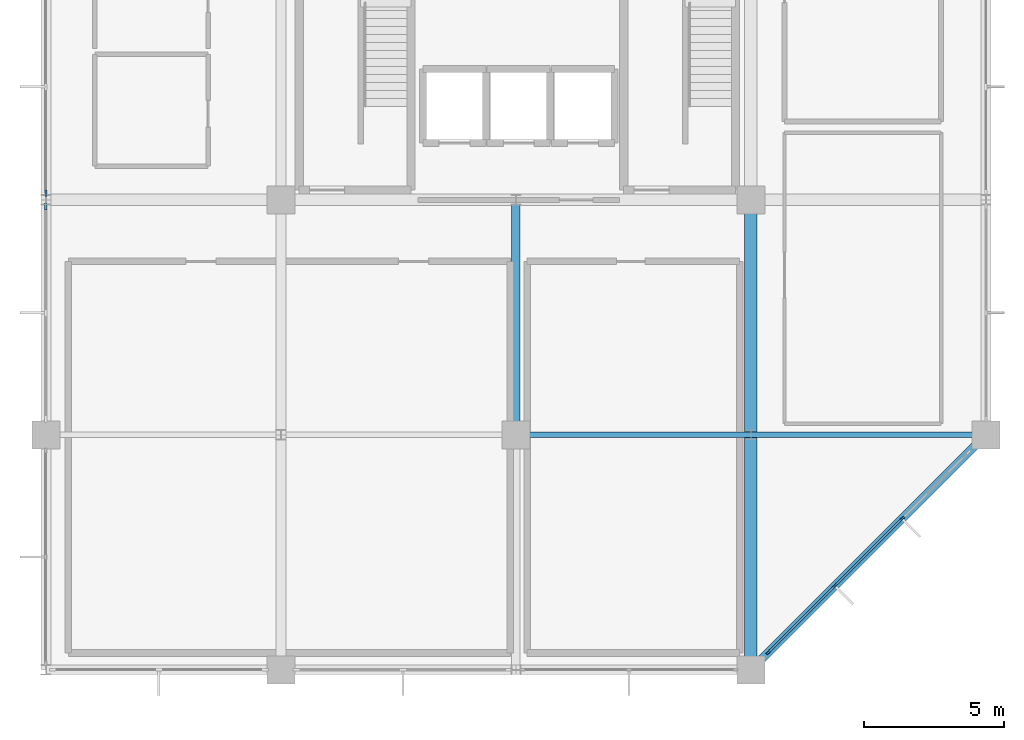
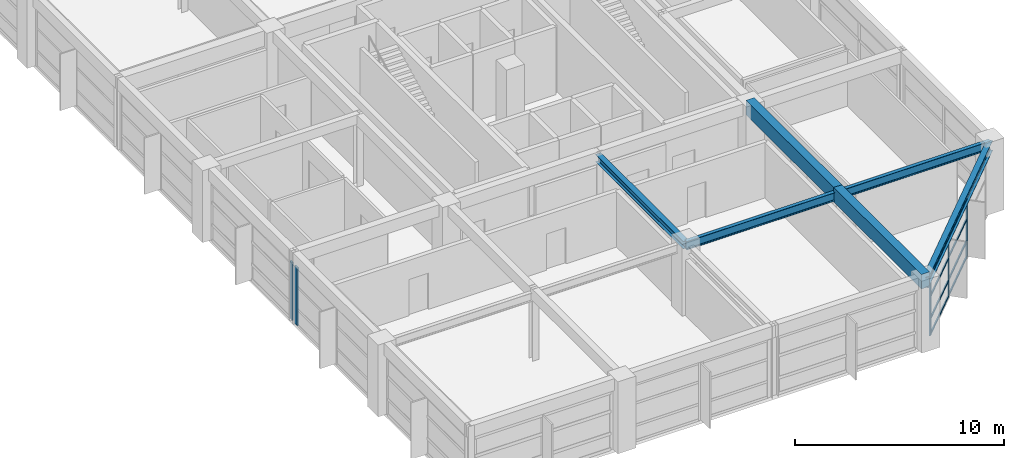
# One storey, part 4 of 16: 13 members, 6 beams, 3 elements without a shape of their own.
"""IFC4 building model written with IfcOpenShell, lengths in metres."""

from ifc_helpers import new_model, si_unit, direction, frame, origin, origin_2d, place, context, subcontext, project, spatial, rectangle, i_section, extrude, material, material_profile, profile_set, type_object, element, aggregate, save


model = new_model("IFC4")

# Units and contexts
model_context = context("Model", 3, precision=1e-05, world=origin(), true_north=direction((0.0, 1.0)))
body_context = subcontext(model_context, "Body", "Model", "MODEL_VIEW")
ifc_project = project(units=[si_unit("LENGTHUNIT", "METRE"), si_unit("AREAUNIT", "SQUARE_METRE"), si_unit("VOLUMEUNIT", "CUBIC_METRE"), si_unit("PLANEANGLEUNIT", "RADIAN"), si_unit("MASSUNIT", "GRAM", prefix="KILO")], contexts=[model_context])

# Site, building, storey
site_placement = place(None, origin())
site = spatial("IfcSite", under=ifc_project, at=site_placement, CompositionType="ELEMENT")
building_placement = place(site_placement, origin())
building = spatial("IfcBuilding", under=site, at=building_placement, Name="Xuanlan Plaza Opera House", CompositionType="ELEMENT")
storey_placement = place(building_placement, frame((0.0, 0.0, 48.89990234375)))
storey = spatial("IfcBuildingStorey", under=building, at=storey_placement, Name="L11", CompositionType="ELEMENT", Elevation=48.89990234375)

# Curtain wall, members
ifc_material_1 = material(Name="Anodised Aluminium 6063-T6 and Low-E Glass", Category="aluminium")
curtain_wall_type_1 = type_object("IfcCurtainWallType", Name="ENV-CW-CW-01", PredefinedType="USERDEFINED", material=ifc_material_1)
curtain_wall_1_placement = place(storey_placement, origin())
curtain_wall_1 = element("IfcCurtainWall", 1, at=curtain_wall_1_placement, inside=storey, type_object=curtain_wall_type_1, Name="Unitised Curtain Wall L11-004", ObjectType="UNITISED CURTAIN WALL", PredefinedType="USERDEFINED")
ifc_material_2 = material(Name="Anodised Aluminium 6063-T6", Category="aluminium")
ifc_material_profile_1 = material_profile(ifc_material_2, rectangle(XDim=0.070068359375, YDim=0.179931640625, at=origin_2d()), Name="ALU-M 70x180")
ifc_profile_set_1 = profile_set([ifc_material_profile_1], Name="Anodised Aluminium 6063-T6")
member_type_1 = type_object("IfcMemberType", Name="ENV-CWM-02", PredefinedType="MULLION", material=ifc_profile_set_1)
member_1_placement = place(storey_placement, frame((151.82373046875, 34.2236328125, 0.0), z_axis=(0.0, 0.0, 1.0), x_axis=(-0.707106781187, 0.707106781187, 0.0)))
member_1 = element("IfcMember", 2, at=member_1_placement, type_object=member_type_1, Name="CW-01 mullion 1", PredefinedType="MULLION", context=body_context, shape_type="SweptSolid", body=[
    extrude(rectangle(XDim=0.070068359375, YDim=0.179931640625, at=origin_2d()), origin(), (0.0, 0.0, 1.0), 3.380126953125),
])
member_2_placement = place(storey_placement, frame((154.19970703125, 36.599609375, 0.0), z_axis=(0.0, 0.0, 1.0), x_axis=(-0.707106781187, 0.707106781187, 0.0)))
member_2 = element("IfcMember", 3, at=member_2_placement, type_object=member_type_1, Name="CW-01 mullion 2", PredefinedType="MULLION", context=body_context, shape_type="SweptSolid", body=[
    extrude(rectangle(XDim=0.070068359375, YDim=0.179931640625, at=origin_2d()), origin(), (0.0, 0.0, 1.0), 3.380126953125),
])
member_3_placement = place(storey_placement, frame((156.600341796875, 39.000244140625, 0.0), z_axis=(0.0, 0.0, 1.0), x_axis=(-0.707106781187, 0.707106781187, 0.0)))
member_3 = element("IfcMember", 4, at=member_3_placement, type_object=member_type_1, Name="CW-01 mullion 3", PredefinedType="MULLION", context=body_context, shape_type="SweptSolid", body=[
    extrude(rectangle(XDim=0.070068359375, YDim=0.179931640625, at=origin_2d()), origin(), (0.0, 0.0, 1.0), 3.380126953125),
])

# Curtain wall, member
curtain_wall_2_placement = place(storey_placement, origin())
curtain_wall_2 = element("IfcCurtainWall", 5, at=curtain_wall_2_placement, inside=storey, type_object=curtain_wall_type_1, Name="Unitised Curtain Wall L11-016", ObjectType="UNITISED CURTAIN WALL", PredefinedType="USERDEFINED")
ifc_material_profile_2 = material_profile(ifc_material_2, rectangle(XDim=0.080078125, YDim=0.219970703125, at=origin_2d()), Name="ALU-M 80x220")
ifc_profile_set_2 = profile_set([ifc_material_profile_2], Name="Anodised Aluminium 6063-T6")
member_type_2 = type_object("IfcMemberType", Name="ENV-CWM-04", PredefinedType="MULLION", material=ifc_profile_set_2)
member_4_placement = place(storey_placement, frame((126.0, 50.635009765625, 0.0), z_axis=(0.0, 0.0, 1.0), x_axis=(1.0, 0.0, 0.0)))
member_4 = element("IfcMember", 6, at=member_4_placement, type_object=member_type_2, Name="CW-01 mullion 3", PredefinedType="MULLION", context=body_context, shape_type="SweptSolid", body=[
    extrude(rectangle(XDim=0.080078125, YDim=0.219970703125, at=origin_2d()), origin(), (0.0, 0.0, 1.0), 3.380126953125),
])
aggregate(curtain_wall_2, [member_4])

curtain_wall_type_2 = type_object("IfcCurtainWallType", Name="ENV-CW-CW-02", PredefinedType="USERDEFINED", material=ifc_material_1)
curtain_wall_3_placement = place(storey_placement, origin())
curtain_wall_3 = element("IfcCurtainWall", 7, at=curtain_wall_3_placement, inside=storey, type_object=curtain_wall_type_2, Name="Unitised Curtain Wall L11-017", ObjectType="UNITISED CURTAIN WALL", PredefinedType="USERDEFINED")
ifc_material_profile_3 = material_profile(ifc_material_2, rectangle(XDim=0.090087890625, YDim=0.25, at=origin_2d()), Name="ALU-M 90x250")
ifc_profile_set_3 = profile_set([ifc_material_profile_3], Name="Anodised Aluminium 6063-T6")
member_type_3 = type_object("IfcMemberType", Name="ENV-CWM-05", PredefinedType="MULLION", material=ifc_profile_set_3)
member_5_placement = place(storey_placement, frame((126.0, 50.159912109375, 0.0), z_axis=(0.0, 0.0, 1.0), x_axis=(1.0, 0.0, 0.0)))
member_5 = element("IfcMember", 8, at=member_5_placement, type_object=member_type_3, Name="CW-02 mullion 1", PredefinedType="MULLION", context=body_context, shape_type="SweptSolid", body=[
    extrude(rectangle(XDim=0.090087890625, YDim=0.25, at=origin_2d()), origin(), (0.0, 0.0, 1.0), 3.380126953125),
])
aggregate(curtain_wall_3, [member_5])

# Member
ifc_material_profile_4 = material_profile(ifc_material_2, rectangle(XDim=0.06494140625, YDim=0.1201171875, at=origin_2d()), Name="ALU-T 65x120")
ifc_profile_set_4 = profile_set([ifc_material_profile_4], Name="Anodised Aluminium 6063-T6")
member_type_4 = type_object("IfcMemberType", Name="ENV-CWT-01", PredefinedType="USERDEFINED", material=ifc_profile_set_4)
member_6_placement = place(storey_placement, frame((151.848388671875, 34.24853515625, 0.03271484375), z_axis=(0.707106781187, 0.707106781187, 0.0), x_axis=(-0.707106781187, 0.707106781187, 0.0)))
member_6 = element("IfcMember", 9, at=member_6_placement, type_object=member_type_4, Name="CW-01 transom 1.1", ObjectType="TRANSOM", PredefinedType="USERDEFINED", context=body_context, shape_type="SweptSolid", body=[
    extrude(rectangle(XDim=0.06494140625, YDim=0.1201171875, at=origin_2d()), origin(), (0.0, 0.0, 1.0), 3.2900390625),
])

member_7_placement = place(storey_placement, frame((151.848388671875, 34.24853515625, 0.9501953125), z_axis=(0.707106781187, 0.707106781187, 0.0), x_axis=(-0.707106781187, 0.707106781187, 0.0)))
member_7 = element("IfcMember", 10, at=member_7_placement, type_object=member_type_4, Name="CW-01 transom 1.2", ObjectType="TRANSOM", PredefinedType="USERDEFINED", context=body_context, shape_type="SweptSolid", body=[
    extrude(rectangle(XDim=0.06494140625, YDim=0.1201171875, at=origin_2d()), origin(), (0.0, 0.0, 1.0), 3.2900390625),
])

member_8_placement = place(storey_placement, frame((151.848388671875, 34.24853515625, 2.25), z_axis=(0.707106781187, 0.707106781187, 0.0), x_axis=(-0.707106781187, 0.707106781187, 0.0)))
member_8 = element("IfcMember", 11, at=member_8_placement, type_object=member_type_4, Name="CW-01 transom 1.3", ObjectType="TRANSOM", PredefinedType="USERDEFINED", context=body_context, shape_type="SweptSolid", body=[
    extrude(rectangle(XDim=0.06494140625, YDim=0.1201171875, at=origin_2d()), origin(), (0.0, 0.0, 1.0), 3.2900390625),
])

member_9_placement = place(storey_placement, frame((151.848388671875, 34.24853515625, 3.34765625), z_axis=(0.707106781187, 0.707106781187, 0.0), x_axis=(-0.707106781187, 0.707106781187, 0.0)))
member_9 = element("IfcMember", 12, at=member_9_placement, type_object=member_type_4, Name="CW-01 transom 1.4", ObjectType="TRANSOM", PredefinedType="USERDEFINED", context=body_context, shape_type="SweptSolid", body=[
    extrude(rectangle(XDim=0.06494140625, YDim=0.1201171875, at=origin_2d()), origin(), (0.0, 0.0, 1.0), 3.2900390625),
])

member_10_placement = place(storey_placement, frame((154.224365234375, 36.62451171875, 0.03271484375), z_axis=(0.707143492075, 0.707070068392, 0.0), x_axis=(-0.707070068392, 0.707143492075, 0.0)))
member_10 = element("IfcMember", 13, at=member_10_placement, type_object=member_type_4, Name="CW-01 transom 2.1", ObjectType="TRANSOM", PredefinedType="USERDEFINED", context=body_context, shape_type="SweptSolid", body=[
    extrude(rectangle(XDim=0.06494140625, YDim=0.1201171875, at=origin_2d()), origin(), (0.0, 0.0, 1.0), 3.3251953125),
])

member_11_placement = place(storey_placement, frame((154.224365234375, 36.62451171875, 0.9501953125), z_axis=(0.707143492075, 0.707070068392, 0.0), x_axis=(-0.707070068392, 0.707143492075, 0.0)))
member_11 = element("IfcMember", 14, at=member_11_placement, type_object=member_type_4, Name="CW-01 transom 2.2", ObjectType="TRANSOM", PredefinedType="USERDEFINED", context=body_context, shape_type="SweptSolid", body=[
    extrude(rectangle(XDim=0.06494140625, YDim=0.1201171875, at=origin_2d()), origin(), (0.0, 0.0, 1.0), 3.3251953125),
])

member_12_placement = place(storey_placement, frame((154.224365234375, 36.62451171875, 2.25), z_axis=(0.707143492075, 0.707070068392, 0.0), x_axis=(-0.707070068392, 0.707143492075, 0.0)))
member_12 = element("IfcMember", 15, at=member_12_placement, type_object=member_type_4, Name="CW-01 transom 2.3", ObjectType="TRANSOM", PredefinedType="USERDEFINED", context=body_context, shape_type="SweptSolid", body=[
    extrude(rectangle(XDim=0.06494140625, YDim=0.1201171875, at=origin_2d()), origin(), (0.0, 0.0, 1.0), 3.3251953125),
])

member_13_placement = place(storey_placement, frame((154.224365234375, 36.62451171875, 3.34765625), z_axis=(0.707143492075, 0.707070068392, 0.0), x_axis=(-0.707070068392, 0.707143492075, 0.0)))
member_13 = element("IfcMember", 16, at=member_13_placement, type_object=member_type_4, Name="CW-01 transom 2.4", ObjectType="TRANSOM", PredefinedType="USERDEFINED", context=body_context, shape_type="SweptSolid", body=[
    extrude(rectangle(XDim=0.06494140625, YDim=0.1201171875, at=origin_2d()), origin(), (0.0, 0.0, 1.0), 3.3251953125),
])

aggregate(curtain_wall_1, [member_1, member_2, member_3, member_6, member_7, member_8, member_9, member_10, member_11, member_12, member_13])

# Beams
ifc_material_3 = material(Name="Concrete C40", Category="concrete")
ifc_material_profile_5 = material_profile(ifc_material_3, rectangle(XDim=0.449951171875, YDim=0.85009765625, at=origin_2d()), Name="RC-BM 450x850")
ifc_profile_set_5 = profile_set([ifc_material_profile_5], Name="Concrete C40")
beam_type_1 = type_object("IfcBeamType", Name="STR-BM-B-04", PredefinedType="BEAM", material=ifc_profile_set_5)
for number, where, z_axis, x_axis, name in (
    (17, (151.199951171875, 33.60009765625, 3.775146484375), (0.0, 1.0, 0.0), (-1.0, 0.0, 0.0), "Grid Beam Y L11 19/E-F"),
    (18, (151.199951171875, 42.0, 3.775146484375), (0.0, 1.0, 0.0), (-1.0, 0.0, 0.0), "Grid Beam Y L11 19/F-G"),
):
    element("IfcBeam", number, at=place(storey_placement, frame(where, z_axis=z_axis, x_axis=x_axis)), inside=storey, type_object=beam_type_1, Name=name, PredefinedType="BEAM", context=body_context, shape_type="SweptSolid", body=[
        extrude(rectangle(XDim=0.449951171875, YDim=0.85009765625, at=origin_2d()), origin(), (0.0, 0.0, 1.0), 8.39990234375),
    ])
ifc_material_4 = material(Name="Steel Q355B", Category="steel")
ifc_material_profile_6 = material_profile(ifc_material_4, i_section(OverallWidth=0.199951171875, OverallDepth=0.5, WebThickness=0.010009765625, FlangeThickness=0.01611328125, FilletRadius=0.02001953125, at=origin_2d()), Name="HN 500x200x10x16")
ifc_profile_set_6 = profile_set([ifc_material_profile_6], Name="Steel Q355B")
beam_type_2 = type_object("IfcBeamType", Name="STR-BM-SB-05", PredefinedType="BEAM", material=ifc_profile_set_6)
beam_1_placement = place(storey_placement, frame((142.800048828125, 42.0, 3.705078125), z_axis=(1.0, 0.0, 0.0), x_axis=(0.0, 1.0, 0.0)))
element("IfcBeam", 19, at=beam_1_placement, inside=storey, type_object=beam_type_2, Name="Grid Beam X L11 18-19/F", PredefinedType="BEAM", context=body_context, shape_type="SweptSolid", body=[
    extrude(i_section(OverallWidth=0.199951171875, OverallDepth=0.5, WebThickness=0.010009765625, FlangeThickness=0.01611328125, FilletRadius=0.02001953125, at=origin_2d()), origin(), (0.0, 0.0, 1.0), 8.39990234375),
])
beam_2_placement = place(storey_placement, frame((151.199951171875, 42.0, 3.705078125), z_axis=(1.0, 0.0, 0.0), x_axis=(0.0, 1.0, 0.0)))
element("IfcBeam", 20, at=beam_2_placement, inside=storey, type_object=beam_type_2, Name="Grid Beam X L11 19-20/F", PredefinedType="BEAM", context=body_context, shape_type="SweptSolid", body=[
    extrude(i_section(OverallWidth=0.199951171875, OverallDepth=0.5, WebThickness=0.010009765625, FlangeThickness=0.01611328125, FilletRadius=0.02001953125, at=origin_2d()), origin(), (0.0, 0.0, 1.0), 8.400146484375),
])
ifc_material_profile_7 = material_profile(ifc_material_4, i_section(OverallWidth=0.300048828125, OverallDepth=0.43994140625, WebThickness=0.010986328125, FlangeThickness=0.01806640625, FilletRadius=0.02001953125, at=origin_2d()), Name="HM 440x300x11x18")
ifc_profile_set_7 = profile_set([ifc_material_profile_7], Name="Steel Q355B")
beam_type_3 = type_object("IfcBeamType", Name="STR-BM-SB-08", PredefinedType="BEAM", material=ifc_profile_set_7)
beam_3_placement = place(storey_placement, frame((142.800048828125, 42.0, 3.735107421875), z_axis=(0.0, 1.0, 0.0), x_axis=(-1.0, 0.0, 0.0)))
element("IfcBeam", 21, at=beam_3_placement, inside=storey, type_object=beam_type_3, Name="Grid Beam Y L11 18/F-G", PredefinedType="BEAM", context=body_context, shape_type="SweptSolid", body=[
    extrude(i_section(OverallWidth=0.300048828125, OverallDepth=0.43994140625, WebThickness=0.010986328125, FlangeThickness=0.01806640625, FilletRadius=0.02001953125, at=origin_2d()), origin(), (0.0, 0.0, 1.0), 8.39990234375),
])
ifc_material_profile_8 = material_profile(ifc_material_4, i_section(OverallWidth=0.300048828125, OverallDepth=0.587890625, WebThickness=0.011962890625, FlangeThickness=0.02001953125, FilletRadius=0.02392578125, at=origin_2d()), Name="HM 588x300x12x20")
ifc_profile_set_8 = profile_set([ifc_material_profile_8], Name="Steel Q355B")
beam_type_4 = type_object("IfcBeamType", Name="STR-BM-SP-03", PredefinedType="SPANDREL", material=ifc_profile_set_8)
beam_4_placement = place(storey_placement, frame((151.199951171875, 33.60009765625, 3.6611328125), z_axis=(0.707117056885, 0.707096505339, 0.0), x_axis=(-0.707096505339, 0.707117056885, 0.0)))
element("IfcBeam", 22, at=beam_4_placement, inside=storey, type_object=beam_type_4, Name="Faceted Edge Spandrel L11 CH01", PredefinedType="SPANDREL", context=body_context, shape_type="SweptSolid", body=[
    extrude(i_section(OverallWidth=0.300048828125, OverallDepth=0.587890625, WebThickness=0.011962890625, FlangeThickness=0.02001953125, FilletRadius=0.02392578125, at=origin_2d()), origin(), (0.0, 0.0, 1.0), 11.87939453125),
])

save(model, "model.ifc")
